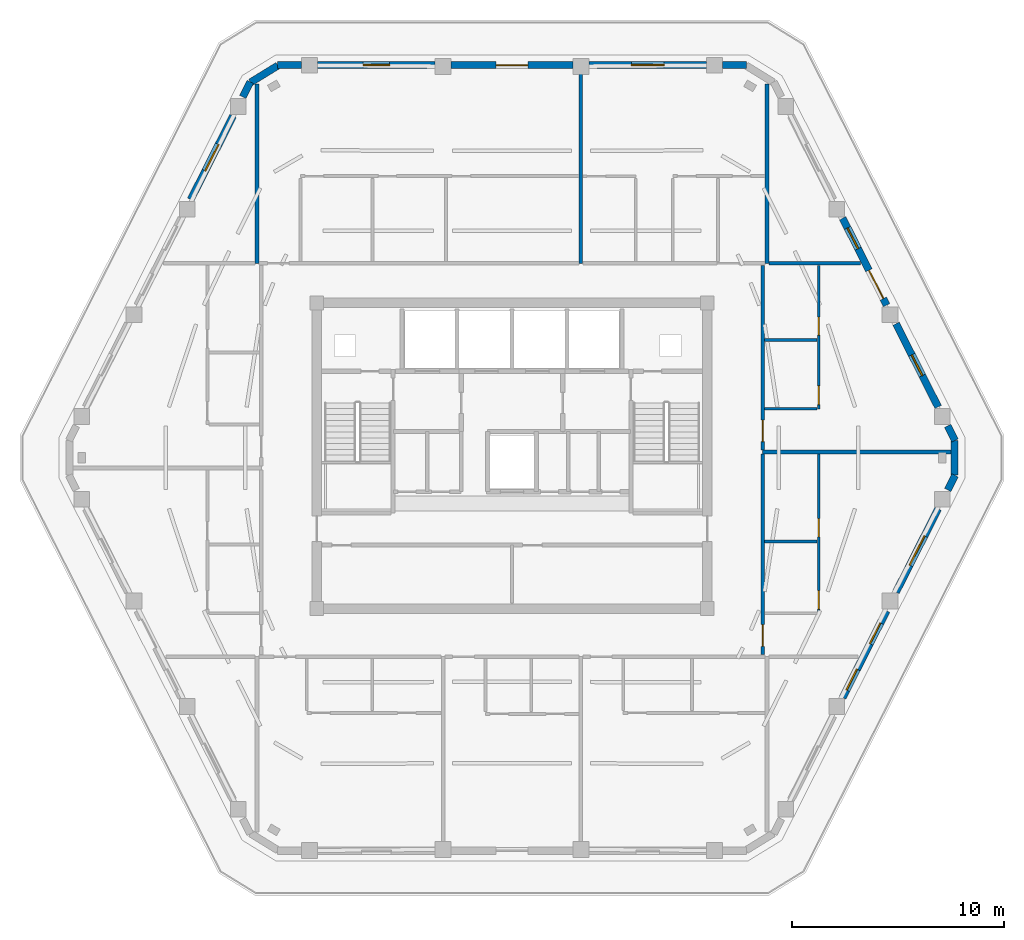
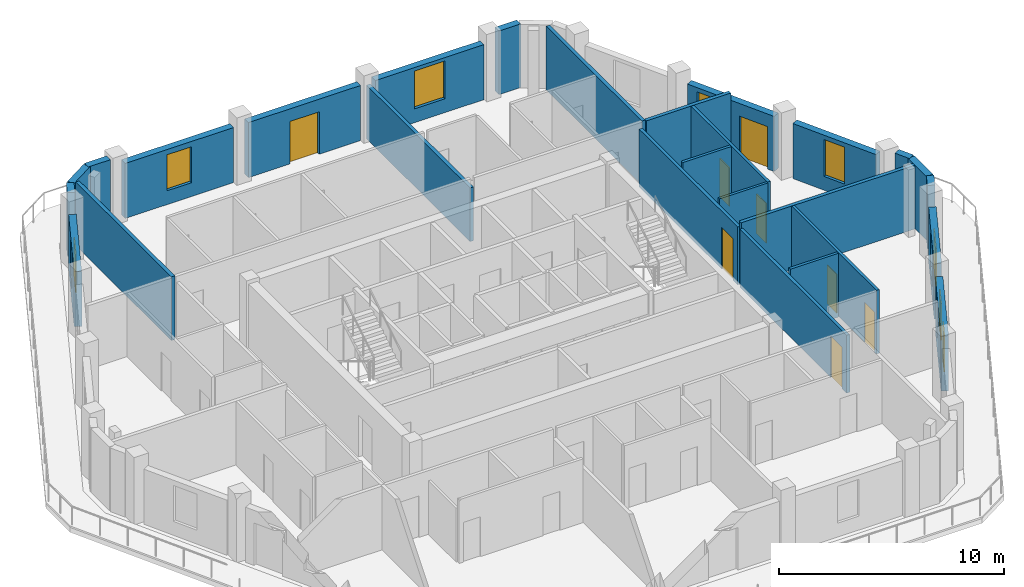
# One storey, part 6 of 10: 27 walls, 8 doors, 8 windows, 16 openings.
"""IFC4 building model written with IfcOpenShell, lengths in metres."""

from ifc_helpers import new_model, si_unit, direction, frame, frame_2d, origin, place, context, subcontext, project, spatial, rectangle, extrude, material, layer, layer_set, type_object, element, fill, save


model = new_model("IFC4")

# Units and contexts
model_context = context("Model", 3, precision=1e-05, world=origin(), true_north=direction((0.0, 1.0)))
body_context = subcontext(model_context, "Body", "Model", "MODEL_VIEW")
ifc_project = project(units=[si_unit("LENGTHUNIT", "METRE"), si_unit("AREAUNIT", "SQUARE_METRE"), si_unit("VOLUMEUNIT", "CUBIC_METRE"), si_unit("PLANEANGLEUNIT", "RADIAN"), si_unit("MASSUNIT", "GRAM", prefix="KILO")], contexts=[model_context])

# Site, building, storey
site_placement = place(None, origin())
site = spatial("IfcSite", under=ifc_project, at=site_placement, CompositionType="ELEMENT")
building_placement = place(site_placement, origin())
building = spatial("IfcBuilding", under=site, at=building_placement, Name="Cinnabar Lancet Tower", CompositionType="ELEMENT")
storey_placement = place(building_placement, frame((0.0, 0.0, 227.0)))
storey = spatial("IfcBuildingStorey", under=building, at=storey_placement, Name="L60", CompositionType="ELEMENT", Elevation=227.0)

# Wall, opening, door
ifc_material_1 = material(Name="Acoustic twin-stud gypsum partition", Category="gypsum")
ifc_layer_1 = layer(ifc_material_1, 0.159912109375)
ifc_layer_set_1 = layer_set([ifc_layer_1], Name="Acoustic twin-stud gypsum partition")
wall_type_1 = type_object("IfcWallType", Name="ARC-WL-CORR-160", PredefinedType="PARTITIONING", material=ifc_layer_set_1)
wall_1_placement = place(storey_placement, frame((44.25, 16.4951171875, 0.0), z_axis=(0.0, 0.0, 1.0), x_axis=(0.0, 1.0, 0.0)))
wall_1 = element("IfcWall", 1, at=wall_1_placement, inside=storey, type_object=wall_type_1, Name="UW-L60-E01-COR", PredefinedType="PARTITIONING", context=body_context, shape_type="SweptSolid", body=[
    extrude(rectangle(XDim=9.48193359375, YDim=0.159912109375, at=frame_2d((4.740966796875, 0.0))), origin(), (0.0, 0.0, 1.0), 3.136962890625),
])
opening_1_placement = place(wall_1_placement, frame((0.39990234375, 0.0, 0.0)))
opening_1 = element("IfcOpeningElement", 2, at=opening_1_placement, cuts=wall_1, Name="Opening UD-01", PredefinedType="OPENING", context=body_context, shape_type="SweptSolid", body=[
    extrude(rectangle(XDim=1.02001953125, YDim=2.25, at=frame_2d((0.510009765625, 1.125))), frame((0.0, 0.08984375, 0.0), z_axis=(0.0, -1.0, 0.0), x_axis=(1.0, 0.0, 0.0)), (0.0, 0.0, 1.0), 0.179931640625),
])
ifc_material_2 = material(Name="Solid timber fire-rated apartment entrance door", Category="wood")
door_type_1 = type_object("IfcDoorType", Name="ARC-DR-UNIT", OperationType="NOTDEFINED", PredefinedType="DOOR", material=ifc_material_2)
door_1_placement = place(opening_1_placement, origin())
door_1 = element("IfcDoor", 3, at=door_1_placement, inside=storey, type_object=door_type_1, Name="DR-L60-E01-ENT", OperationType="SINGLE_SWING_LEFT", OverallHeight=2.25, OverallWidth=1.02001953125, PredefinedType="DOOR", context=body_context, shape_type="SweptSolid", body=[
    extrude(rectangle(XDim=1.02001953125, YDim=2.25, at=frame_2d((0.510009765625, 1.125))), frame((0.0, 0.02490234375, 0.0), z_axis=(0.0, -1.0, 0.0), x_axis=(1.0, 0.0, 0.0)), (0.0, 0.0, 1.0), 0.050048828125),
])
fill(opening_1, door_1)

wall_2_placement = place(storey_placement, frame((44.25, 26.1669921875, 0.0), z_axis=(0.0, 0.0, 1.0), x_axis=(0.0, 1.0, 0.0)))
wall_2 = element("IfcWall", 4, at=wall_2_placement, inside=storey, type_object=wall_type_1, Name="UW-L60-E02-COR", PredefinedType="PARTITIONING", context=body_context, shape_type="SweptSolid", body=[
    extrude(rectangle(XDim=8.738037109375, YDim=0.159912109375, at=frame_2d((4.369140625, 0.0))), origin(), (0.0, 0.0, 1.0), 3.136962890625),
])
opening_2_placement = place(wall_2_placement, frame((0.39990234375, 0.0, 0.0)))
opening_2 = element("IfcOpeningElement", 5, at=opening_2_placement, cuts=wall_2, Name="Opening UD-01", PredefinedType="OPENING", context=body_context, shape_type="SweptSolid", body=[
    extrude(rectangle(XDim=1.02001953125, YDim=2.25, at=frame_2d((0.510009765625, 1.125))), frame((0.0, 0.08984375, 0.0), z_axis=(0.0, -1.0, 0.0), x_axis=(1.0, 0.0, 0.0)), (0.0, 0.0, 1.0), 0.179931640625),
])
door_2_placement = place(opening_2_placement, origin())
door_2 = element("IfcDoor", 6, at=door_2_placement, inside=storey, type_object=door_type_1, Name="DR-L60-E02-ENT", OperationType="SINGLE_SWING_RIGHT", OverallHeight=2.25, OverallWidth=1.02001953125, PredefinedType="DOOR", context=body_context, shape_type="SweptSolid", body=[
    extrude(rectangle(XDim=1.02001953125, YDim=2.25, at=frame_2d((0.510009765625, 1.125))), frame((0.0, 0.02490234375, 0.0), z_axis=(0.0, -1.0, 0.0), x_axis=(1.0, 0.0, 0.0)), (0.0, 0.0, 1.0), 0.050048828125),
])
fill(opening_2, door_2)

# Walls
ifc_material_3 = material(Name="Fire-rated twin-frame acoustic drywall", Category="gypsum")
ifc_layer_2 = layer(ifc_material_3, 0.179931640625)
ifc_layer_set_2 = layer_set([ifc_layer_2], Name="Fire-rated twin-frame acoustic drywall")
wall_type_2 = type_object("IfcWallType", Name="ARC-WL-PARTY-180", PredefinedType="PARTITIONING", material=ifc_layer_set_2)
wall_3_placement = place(storey_placement, frame((20.35009765625, 35.0, 0.0), z_axis=(0.0, 0.0, 1.0), x_axis=(0.0, 1.0, 0.0)))
element("IfcWall", 7, at=wall_3_placement, inside=storey, type_object=wall_type_2, Name="PW-L60-NPTY-204", PredefinedType="PARTITIONING", context=body_context, shape_type="SweptSolid", body=[
    extrude(rectangle(XDim=8.48095703125, YDim=0.179931640625, at=frame_2d((4.240478515625, 0.0))), origin(), (0.0, 0.0, 1.0), 3.449951171875),
])
wall_4_placement = place(storey_placement, frame((35.654052734375, 35.0, 0.0), z_axis=(0.0, 0.0, 1.0), x_axis=(0.0, 1.0, 0.0)))
element("IfcWall", 8, at=wall_4_placement, inside=storey, type_object=wall_type_2, Name="PW-L60-NPTY-357", PredefinedType="PARTITIONING", context=body_context, shape_type="SweptSolid", body=[
    extrude(rectangle(XDim=9.195068359375, YDim=0.179931640625, at=frame_2d((4.59765625, 0.0))), origin(), (0.0, 0.0, 1.0), 2.906982421875),
])
wall_5_placement = place(storey_placement, frame((44.449951171875, 35.0, 0.0), z_axis=(0.0, 0.0, 1.0), x_axis=(0.0, 1.0, 0.0)))
element("IfcWall", 9, at=wall_5_placement, inside=storey, type_object=wall_type_2, Name="PW-L60-NPTY-444", PredefinedType="PARTITIONING", context=body_context, shape_type="SweptSolid", body=[
    extrude(rectangle(XDim=8.48095703125, YDim=0.179931640625, at=frame_2d((4.240478515625, 0.0))), origin(), (0.0, 0.0, 1.0), 3.449951171875),
])
wall_6_placement = place(storey_placement, frame((44.544921875, 35.0, 0.0), z_axis=(0.0, 0.0, 1.0), x_axis=(1.0, 0.0, 0.0)))
element("IfcWall", 10, at=wall_6_placement, inside=storey, type_object=wall_type_2, Name="PW-L60-ENB", PredefinedType="PARTITIONING", context=body_context, shape_type="SweptSolid", body=[
    extrude(rectangle(XDim=4.322021484375, YDim=0.179931640625, at=frame_2d((2.1611328125, 0.0))), origin(), (0.0, 0.0, 1.0), 3.449951171875),
])
wall_7_placement = place(storey_placement, frame((44.25, 26.072021484375, 0.0), z_axis=(0.0, 0.0, 1.0), x_axis=(1.0, 0.0, 0.0)))
element("IfcWall", 11, at=wall_7_placement, inside=storey, type_object=wall_type_2, Name="PW-L60-EPTY-1", PredefinedType="PARTITIONING", context=body_context, shape_type="SweptSolid", body=[
    extrude(rectangle(XDim=8.89794921875, YDim=0.179931640625, at=frame_2d((4.448974609375, 0.0))), origin(), (0.0, 0.0, 1.0), 3.449951171875),
])
ifc_material_4 = material(Name="Gypsum plasterboard stud partition", Category="gypsum")
ifc_layer_3 = layer(ifc_material_4, 0.125)
ifc_layer_set_3 = layer_set([ifc_layer_3], Name="Gypsum plasterboard stud partition")
wall_type_3 = type_object("IfcWallType", Name="ARC-WL-UNIT-125", PredefinedType="PARTITIONING", material=ifc_layer_set_3)
wall_8_placement = place(storey_placement, frame((44.3349609375, 28.1220703125, 0.0), z_axis=(0.0, 0.0, 1.0), x_axis=(1.0, 0.0, 0.0)))
element("IfcWall", 12, at=wall_8_placement, inside=storey, type_object=wall_type_3, Name="UW-L60-E02-FOYN", PredefinedType="PARTITIONING", context=body_context, shape_type="SweptSolid", body=[
    extrude(rectangle(XDim=2.47998046875, YDim=0.125, at=frame_2d((1.239990234375, 0.0))), origin(), (0.0, 0.0, 1.0), 3.449951171875),
])

# Wall, openings, doors
ifc_material_5 = material(Name="Moisture-resistant cement-board plumbing wall", Category="masonry")
ifc_layer_4 = layer(ifc_material_5, 0.139892578125)
ifc_layer_set_4 = layer_set([ifc_layer_4], Name="Moisture-resistant cement-board plumbing wall")
wall_type_4 = type_object("IfcWallType", Name="ARC-WL-WET-140", PredefinedType="PLUMBINGWALL", material=ifc_layer_set_4)
wall_9_placement = place(storey_placement, frame((46.89990234375, 18.449951171875, 0.0), z_axis=(0.0, 0.0, 1.0), x_axis=(0.0, 1.0, 0.0)))
wall_9 = element("IfcWall", 13, at=wall_9_placement, inside=storey, type_object=wall_type_4, Name="UW-L60-E01-SPL", PredefinedType="PLUMBINGWALL", context=body_context, shape_type="SweptSolid", body=[
    extrude(rectangle(XDim=7.527099609375, YDim=0.139892578125, at=frame_2d((3.763671875, 0.0))), origin(), (0.0, 0.0, 1.0), 3.449951171875),
])
opening_3_placement = place(wall_9_placement, frame((3.6201171875, 0.0, 0.0)))
opening_3 = element("IfcOpeningElement", 14, at=opening_3_placement, cuts=wall_9, Name="Opening BD-01", PredefinedType="OPENING", context=body_context, shape_type="SweptSolid", body=[
    extrude(rectangle(XDim=0.860107421875, YDim=2.10009765625, at=frame_2d((0.43017578125, 1.050048828125))), frame((0.0, 0.079833984375, 0.0), z_axis=(0.0, -1.0, 0.0), x_axis=(1.0, 0.0, 0.0)), (0.0, 0.0, 1.0), 0.159912109375),
])
opening_4_placement = place(wall_9_placement, frame((0.199951171875, 0.0, 0.0)))
opening_4 = element("IfcOpeningElement", 15, at=opening_4_placement, cuts=wall_9, Name="Opening RD-02", PredefinedType="OPENING", context=body_context, shape_type="SweptSolid", body=[
    extrude(rectangle(XDim=0.8798828125, YDim=2.14990234375, at=frame_2d((0.43994140625, 1.074951171875))), frame((0.0, 0.079833984375, 0.0), z_axis=(0.0, -1.0, 0.0), x_axis=(1.0, 0.0, 0.0)), (0.0, 0.0, 1.0), 0.159912109375),
])
ifc_material_6 = material(Name="Moisture-resistant timber bathroom door", Category="wood")
door_type_2 = type_object("IfcDoorType", Name="ARC-DR-BATH", OperationType="NOTDEFINED", PredefinedType="DOOR", material=ifc_material_6)
door_3_placement = place(opening_3_placement, origin())
door_3 = element("IfcDoor", 16, at=door_3_placement, inside=storey, type_object=door_type_2, Name="DR-L60-E01-BTH", OperationType="SINGLE_SWING_LEFT", OverallHeight=2.10009765625, OverallWidth=0.860107421875, PredefinedType="DOOR", context=body_context, shape_type="SweptSolid", body=[
    extrude(rectangle(XDim=0.860107421875, YDim=2.10009765625, at=frame_2d((0.43017578125, 1.050048828125))), frame((0.0, 0.02490234375, 0.0), z_axis=(0.0, -1.0, 0.0), x_axis=(1.0, 0.0, 0.0)), (0.0, 0.0, 1.0), 0.050048828125),
])
fill(opening_3, door_3)
ifc_material_7 = material(Name="Engineered timber study door", Category="wood")
door_type_3 = type_object("IfcDoorType", Name="ARC-DR-STUDY", OperationType="NOTDEFINED", PredefinedType="DOOR", material=ifc_material_7)
door_4_placement = place(opening_4_placement, origin())
door_4 = element("IfcDoor", 17, at=door_4_placement, inside=storey, type_object=door_type_3, Name="DR-L60-E01-KIT", OperationType="SINGLE_SWING_RIGHT", OverallHeight=2.14990234375, OverallWidth=0.8798828125, PredefinedType="DOOR", context=body_context, shape_type="SweptSolid", body=[
    extrude(rectangle(XDim=0.8798828125, YDim=2.14990234375, at=frame_2d((0.43994140625, 1.074951171875))), frame((0.0, 0.02490234375, 0.0), z_axis=(0.0, -1.0, 0.0), x_axis=(1.0, 0.0, 0.0)), (0.0, 0.0, 1.0), 0.050048828125),
])
fill(opening_4, door_4)

# Wall
wall_10_placement = place(storey_placement, frame((44.3349609375, 21.85009765625, 0.0), z_axis=(0.0, 0.0, 1.0), x_axis=(1.0, 0.0, 0.0)))
element("IfcWall", 18, at=wall_10_placement, inside=storey, type_object=wall_type_4, Name="UW-L60-E01-KDV", PredefinedType="PLUMBINGWALL", context=body_context, shape_type="SweptSolid", body=[
    extrude(rectangle(XDim=2.47998046875, YDim=0.139892578125, at=frame_2d((1.239990234375, 0.0))), origin(), (0.0, 0.0, 1.0), 3.449951171875),
])

# Wall, openings, doors
wall_11_placement = place(storey_placement, frame((46.89990234375, 28.1220703125, 0.0), z_axis=(0.0, 0.0, 1.0), x_axis=(0.0, 1.0, 0.0)))
wall_11 = element("IfcWall", 19, at=wall_11_placement, inside=storey, type_object=wall_type_4, Name="UW-L60-E02-SPL", PredefinedType="PLUMBINGWALL", context=body_context, shape_type="SweptSolid", body=[
    extrude(rectangle(XDim=6.782958984375, YDim=0.139892578125, at=frame_2d((3.3916015625, 0.0))), origin(), (0.0, 0.0, 1.0), 3.449951171875),
])
opening_5_placement = place(wall_11_placement, frame((3.47607421875, 0.0, 0.0)))
opening_5 = element("IfcOpeningElement", 20, at=opening_5_placement, cuts=wall_11, Name="Opening BD-01", PredefinedType="OPENING", context=body_context, shape_type="SweptSolid", body=[
    extrude(rectangle(XDim=0.860107421875, YDim=2.10009765625, at=frame_2d((0.43017578125, 1.050048828125))), frame((0.0, 0.079833984375, 0.0), z_axis=(0.0, -1.0, 0.0), x_axis=(1.0, 0.0, 0.0)), (0.0, 0.0, 1.0), 0.159912109375),
])
opening_6_placement = place(wall_11_placement, frame((0.199951171875, 0.0, 0.0)))
opening_6 = element("IfcOpeningElement", 21, at=opening_6_placement, cuts=wall_11, Name="Opening RD-02", PredefinedType="OPENING", context=body_context, shape_type="SweptSolid", body=[
    extrude(rectangle(XDim=0.8798828125, YDim=2.14990234375, at=frame_2d((0.43994140625, 1.074951171875))), frame((0.0, 0.079833984375, 0.0), z_axis=(0.0, -1.0, 0.0), x_axis=(1.0, 0.0, 0.0)), (0.0, 0.0, 1.0), 0.159912109375),
])
door_5_placement = place(opening_5_placement, origin())
door_5 = element("IfcDoor", 22, at=door_5_placement, inside=storey, type_object=door_type_2, Name="DR-L60-E02-BTH", OperationType="SINGLE_SWING_RIGHT", OverallHeight=2.10009765625, OverallWidth=0.860107421875, PredefinedType="DOOR", context=body_context, shape_type="SweptSolid", body=[
    extrude(rectangle(XDim=0.860107421875, YDim=2.10009765625, at=frame_2d((0.43017578125, 1.050048828125))), frame((0.0, 0.02490234375, 0.0), z_axis=(0.0, -1.0, 0.0), x_axis=(1.0, 0.0, 0.0)), (0.0, 0.0, 1.0), 0.050048828125),
])
fill(opening_5, door_5)
door_6_placement = place(opening_6_placement, origin())
door_6 = element("IfcDoor", 23, at=door_6_placement, inside=storey, type_object=door_type_3, Name="DR-L60-E02-KIT", OperationType="SINGLE_SWING_LEFT", OverallHeight=2.14990234375, OverallWidth=0.8798828125, PredefinedType="DOOR", context=body_context, shape_type="SweptSolid", body=[
    extrude(rectangle(XDim=0.8798828125, YDim=2.14990234375, at=frame_2d((0.43994140625, 1.074951171875))), frame((0.0, 0.02490234375, 0.0), z_axis=(0.0, -1.0, 0.0), x_axis=(1.0, 0.0, 0.0)), (0.0, 0.0, 1.0), 0.050048828125),
])
fill(opening_6, door_6)

# Walls
wall_12_placement = place(storey_placement, frame((44.3349609375, 31.3779296875, 0.0), z_axis=(0.0, 0.0, 1.0), x_axis=(1.0, 0.0, 0.0)))
element("IfcWall", 24, at=wall_12_placement, inside=storey, type_object=wall_type_4, Name="UW-L60-E02-KDV", PredefinedType="PLUMBINGWALL", context=body_context, shape_type="SweptSolid", body=[
    extrude(rectangle(XDim=2.47998046875, YDim=0.139892578125, at=frame_2d((1.239990234375, 0.0))), origin(), (0.0, 0.0, 1.0), 3.449951171875),
])
ifc_material_8 = material(Name="Cinnabar red clay brick", Category="masonry")
ifc_layer_5 = layer(ifc_material_8, 0.340087890625)
ifc_layer_set_5 = layer_set([ifc_layer_5], Name="Cinnabar red clay brick")
wall_type_5 = type_object("IfcWallType", Name="ENV-WL-BRK-RED-340", PredefinedType="STANDARD", material=ifc_layer_set_5)
wall_13_placement = place(storey_placement, frame((53.322998046875, 24.97998046875, 0.0), z_axis=(0.0, 0.0, 1.0), x_axis=(0.0, 1.0, 0.0)))
element("IfcWall", 25, at=wall_13_placement, inside=storey, type_object=wall_type_5, Name="L60 Chamfered Corner Brick Pier 3.1", PredefinedType="STANDARD", context=body_context, shape_type="SweptSolid", body=[
    extrude(rectangle(XDim=1.64013671875, YDim=0.340087890625, at=frame_2d((0.820068359375, 0.0))), origin(), (0.0, 0.0, 1.0), 3.449951171875),
])
wall_14_placement = place(storey_placement, frame((21.3310546875, 44.344970703125, 0.0), z_axis=(0.0, 0.0, 1.0), x_axis=(-0.851680557619, -0.52406128246, 0.0)))
element("IfcWall", 26, at=wall_14_placement, inside=storey, type_object=wall_type_5, Name="L60 Chamfered Corner Brick Pier 5.1", PredefinedType="STANDARD", context=body_context, shape_type="SweptSolid", body=[
    extrude(rectangle(XDim=1.507568359375, YDim=0.340087890625, at=frame_2d((0.75390625, 0.0))), origin(), (0.0, 0.0, 1.0), 3.449951171875),
])

# Wall, openings, windows
wall_15_placement = place(storey_placement, frame((48.031982421875, 14.472900390625, 0.0), z_axis=(0.0, 0.0, 1.0), x_axis=(0.451539564999, 0.892251097641, 0.0)))
wall_15 = element("IfcWall", 27, at=wall_15_placement, inside=storey, type_object=wall_type_5, Name="L60 Face 2 Masonry Bay Wall 3", PredefinedType="STANDARD", context=body_context, shape_type="SweptSolid", body=[
    extrude(rectangle(XDim=4.599609375, YDim=0.340087890625, at=frame_2d((2.2998046875, 0.0))), origin(), (0.0, 0.0, 1.0), 2.98291015625),
])
opening_7_placement = place(wall_15_placement, frame((0.39990234375, 0.0, 0.75)))
opening_7 = element("IfcOpeningElement", 28, at=opening_7_placement, cuts=wall_15, Name="Opening WN-04", PredefinedType="OPENING", context=body_context, shape_type="SweptSolid", body=[
    extrude(rectangle(XDim=1.10009765625, YDim=2.0, at=frame_2d((0.550048828125, 1.0))), frame((0.0, 0.179931640625, 0.0), z_axis=(0.0, -1.0, 0.0), x_axis=(1.0, 0.0, 0.0)), (0.0, 0.0, 1.0), 0.360107421875),
])
opening_8_placement = place(wall_15_placement, frame((2.85107421875, 0.0, 0.75)))
opening_8 = element("IfcOpeningElement", 29, at=opening_8_placement, cuts=wall_15, Name="Opening WN-04", PredefinedType="OPENING", context=body_context, shape_type="SweptSolid", body=[
    extrude(rectangle(XDim=1.10009765625, YDim=2.0, at=frame_2d((0.550048828125, 1.0))), frame((0.0, 0.179931640625, 0.0), z_axis=(0.0, -1.0, 0.0), x_axis=(1.0, 0.0, 0.0)), (0.0, 0.0, 1.0), 0.360107421875),
])
ifc_material_9 = material(Name="Thermally broken bronze-anodized aluminium tall lancet window", Category="aluminium")
window_type_1 = type_object("IfcWindowType", Name="ENV-WN-LANCET-1100", PartitioningType="SINGLE_PANEL", PredefinedType="WINDOW", material=ifc_material_9)
window_1_placement = place(opening_7_placement, origin())
window_1 = element("IfcWindow", 30, at=window_1_placement, inside=storey, type_object=window_type_1, Name="L60 Face 2 Gothic Lancet Window 3", OverallHeight=2.0, OverallWidth=1.10009765625, PartitioningType="SINGLE_PANEL", PredefinedType="WINDOW", context=body_context, shape_type="SweptSolid", body=[
    extrude(rectangle(XDim=1.10009765625, YDim=2.0, at=frame_2d((0.550048828125, 1.0))), frame((0.0, 0.030029296875, 0.0), z_axis=(0.0, -1.0, 0.0), x_axis=(1.0, 0.0, 0.0)), (0.0, 0.0, 1.0), 0.06005859375),
])
fill(opening_7, window_1)
window_2_placement = place(opening_8_placement, origin())
window_2 = element("IfcWindow", 31, at=window_2_placement, inside=storey, type_object=window_type_1, Name="L60 Split-Bay Gothic Lancet Window 207", OverallHeight=2.0, OverallWidth=1.10009765625, PartitioningType="SINGLE_PANEL", PredefinedType="WINDOW", context=body_context, shape_type="SweptSolid", body=[
    extrude(rectangle(XDim=1.10009765625, YDim=2.0, at=frame_2d((0.550048828125, 1.0))), frame((0.0, 0.030029296875, 0.0), z_axis=(0.0, -1.0, 0.0), x_axis=(1.0, 0.0, 0.0)), (0.0, 0.0, 1.0), 0.06005859375),
])
fill(opening_8, window_2)

# Wall, opening, window
wall_16_placement = place(storey_placement, frame((50.553955078125, 19.4560546875, 0.0), z_axis=(0.0, 0.0, 1.0), x_axis=(0.45130817501, 0.892368158984, 0.0)))
wall_16 = element("IfcWall", 32, at=wall_16_placement, inside=storey, type_object=wall_type_5, Name="L60 Face 2 Masonry Bay Wall 4", PredefinedType="STANDARD", context=body_context, shape_type="SweptSolid", body=[
    extrude(rectangle(XDim=4.4072265625, YDim=0.340087890625, at=frame_2d((2.20361328125, 0.0))), origin(), (0.0, 0.0, 1.0), 2.98291015625),
])
opening_9_placement = place(wall_16_placement, frame((1.428955078125, 0.0, 0.75)))
opening_9 = element("IfcOpeningElement", 33, at=opening_9_placement, cuts=wall_16, Name="Opening WN-01", PredefinedType="OPENING", context=body_context, shape_type="SweptSolid", body=[
    extrude(rectangle(XDim=1.550048828125, YDim=2.050048828125, at=frame_2d((0.77490234375, 1.02490234375))), frame((0.0, 0.179931640625, 0.0), z_axis=(0.0, -1.0, 0.0), x_axis=(1.0, 0.0, 0.0)), (0.0, 0.0, 1.0), 0.360107421875),
])
ifc_material_10 = material(Name="Thermally broken bronze-anodized aluminium low-E double glazing", Category="aluminium")
window_type_2 = type_object("IfcWindowType", Name="ENV-WN-LANCET-1550", PartitioningType="SINGLE_PANEL", PredefinedType="WINDOW", material=ifc_material_10)
window_3_placement = place(opening_9_placement, origin())
window_3 = element("IfcWindow", 34, at=window_3_placement, inside=storey, type_object=window_type_2, Name="L60 Face 2 Gothic Lancet Window 4", OverallHeight=2.050048828125, OverallWidth=1.550048828125, PartitioningType="SINGLE_PANEL", PredefinedType="WINDOW", context=body_context, shape_type="SweptSolid", body=[
    extrude(rectangle(XDim=1.550048828125, YDim=2.050048828125, at=frame_2d((0.77490234375, 1.02490234375))), frame((0.0, 0.030029296875, 0.0), z_axis=(0.0, -1.0, 0.0), x_axis=(1.0, 0.0, 0.0)), (0.0, 0.0, 1.0), 0.06005859375),
])
fill(opening_9, window_3)

# Walls
for number, where, z_axis, x_axis, name in (
    (35, (52.99609375, 24.283935546875, 0.0), (0.0, 0.0, 1.0), (0.45075284655, 0.892648795063, 0.0), "L60 Face 2 Masonry Bay Wall 5"),
    (36, (53.343994140625, 26.626953125, 0.0), (0.0, 0.0, 1.0), (-0.45075284655, 0.892648795063, 0.0), "L60 Face 3 Masonry Bay Wall 1"),
):
    element("IfcWall", number, at=place(storey_placement, frame(where, z_axis=z_axis, x_axis=x_axis)), inside=storey, type_object=wall_type_5, Name=name, PredefinedType="STANDARD", context=body_context, shape_type="SweptSolid", body=[
        extrude(rectangle(XDim=0.771728515625, YDim=0.340087890625, at=frame_2d((0.3857421875, 0.0))), origin(), (0.0, 0.0, 1.0), 3.449951171875),
    ])

# Wall, opening, window
wall_17_placement = place(storey_placement, frame((52.54296875, 28.2109375, 0.0), z_axis=(0.0, 0.0, 1.0), x_axis=(-0.451285866323, 0.892379441077, 0.0)))
wall_17 = element("IfcWall", 37, at=wall_17_placement, inside=storey, type_object=wall_type_5, Name="L60 Face 3 Masonry Bay Wall 2", PredefinedType="STANDARD", context=body_context, shape_type="SweptSolid", body=[
    extrude(rectangle(XDim=4.407470703125, YDim=0.340087890625, at=frame_2d((2.20361328125, 0.0))), origin(), (0.0, 0.0, 1.0), 2.98291015625),
])
opening_10_placement = place(wall_17_placement, frame((1.654052734375, 0.0, 0.75)))
opening_10 = element("IfcOpeningElement", 38, at=opening_10_placement, cuts=wall_17, Name="Opening WN-04", PredefinedType="OPENING", context=body_context, shape_type="SweptSolid", body=[
    extrude(rectangle(XDim=1.10009765625, YDim=2.0, at=frame_2d((0.550048828125, 1.0))), frame((0.0, 0.179931640625, 0.0), z_axis=(0.0, -1.0, 0.0), x_axis=(1.0, 0.0, 0.0)), (0.0, 0.0, 1.0), 0.360107421875),
])
window_4_placement = place(opening_10_placement, origin())
window_4 = element("IfcWindow", 39, at=window_4_placement, inside=storey, type_object=window_type_1, Name="L60 Face 3 Gothic Lancet Window 2", OverallHeight=2.0, OverallWidth=1.10009765625, PartitioningType="SINGLE_PANEL", PredefinedType="WINDOW", context=body_context, shape_type="SweptSolid", body=[
    extrude(rectangle(XDim=1.10009765625, YDim=2.0, at=frame_2d((0.550048828125, 1.0))), frame((0.0, 0.030029296875, 0.0), z_axis=(0.0, -1.0, 0.0), x_axis=(1.0, 0.0, 0.0)), (0.0, 0.0, 1.0), 0.06005859375),
])
fill(opening_10, window_4)

# Wall, openings, door, window
wall_18_placement = place(storey_placement, frame((50.10888671875, 33.02294921875, 0.0), z_axis=(0.0, 0.0, 1.0), x_axis=(-0.451539564999, 0.892251097641, 0.0)))
wall_18 = element("IfcWall", 40, at=wall_18_placement, inside=storey, type_object=wall_type_5, Name="L60 Face 3 Masonry Bay Wall 3", PredefinedType="STANDARD", context=body_context, shape_type="SweptSolid", body=[
    extrude(rectangle(XDim=4.599609375, YDim=0.340087890625, at=frame_2d((2.2998046875, 0.0))), origin(), (0.0, 0.0, 1.0), 2.98291015625),
])
opening_11_placement = place(wall_18_placement, frame((0.342041015625, 0.0, 0.0)))
opening_11 = element("IfcOpeningElement", 41, at=opening_11_placement, cuts=wall_18, Name="Opening TD-02", PredefinedType="OPENING", context=body_context, shape_type="SweptSolid", body=[
    extrude(rectangle(XDim=1.5, YDim=2.300048828125, at=frame_2d((0.75, 1.14990234375))), frame((0.0, 0.179931640625, 0.0), z_axis=(0.0, -1.0, 0.0), x_axis=(1.0, 0.0, 0.0)), (0.0, 0.0, 1.0), 0.360107421875),
])
opening_12_placement = place(wall_18_placement, frame((2.988037109375, 0.0, 0.75)))
opening_12 = element("IfcOpeningElement", 42, at=opening_12_placement, cuts=wall_18, Name="Opening WN-04", PredefinedType="OPENING", context=body_context, shape_type="SweptSolid", body=[
    extrude(rectangle(XDim=1.10009765625, YDim=2.0, at=frame_2d((0.550048828125, 1.0))), frame((0.0, 0.179931640625, 0.0), z_axis=(0.0, -1.0, 0.0), x_axis=(1.0, 0.0, 0.0)), (0.0, 0.0, 1.0), 0.360107421875),
])
ifc_material_11 = material(Name="Thermally broken low-E glazed sky-terrace double door", Category="wood")
door_type_4 = type_object("IfcDoorType", Name="ARC-DR-STER", OperationType="NOTDEFINED", PredefinedType="DOOR", material=ifc_material_11)
door_7_placement = place(opening_11_placement, origin())
door_7 = element("IfcDoor", 43, at=door_7_placement, inside=storey, type_object=door_type_4, Name="L60 Face 3 Glazed Terrace Door", OperationType="SINGLE_SWING_LEFT", OverallHeight=2.300048828125, OverallWidth=1.5, PredefinedType="DOOR", context=body_context, shape_type="SweptSolid", body=[
    extrude(rectangle(XDim=1.5, YDim=2.300048828125, at=frame_2d((0.75, 1.14990234375))), frame((0.0, 0.02490234375, 0.0), z_axis=(0.0, -1.0, 0.0), x_axis=(1.0, 0.0, 0.0)), (0.0, 0.0, 1.0), 0.050048828125),
])
fill(opening_11, door_7)
window_5_placement = place(opening_12_placement, origin())
window_5 = element("IfcWindow", 44, at=window_5_placement, inside=storey, type_object=window_type_1, Name="L60 Split-Bay Gothic Lancet Window 208", OverallHeight=2.0, OverallWidth=1.10009765625, PartitioningType="SINGLE_PANEL", PredefinedType="WINDOW", context=body_context, shape_type="SweptSolid", body=[
    extrude(rectangle(XDim=1.10009765625, YDim=2.0, at=frame_2d((0.550048828125, 1.0))), frame((0.0, 0.030029296875, 0.0), z_axis=(0.0, -1.0, 0.0), x_axis=(1.0, 0.0, 0.0)), (0.0, 0.0, 1.0), 0.06005859375),
])
fill(opening_12, window_5)

# Wall
wall_19_placement = place(storey_placement, frame((43.47412109375, 44.3701171875, 0.0), z_axis=(0.0, 0.0, 1.0), x_axis=(-1.0, 0.0, 0.0)))
element("IfcWall", 45, at=wall_19_placement, inside=storey, type_object=wall_type_5, Name="L60 Face 4 Masonry Bay Wall 1", PredefinedType="STANDARD", context=body_context, shape_type="SweptSolid", body=[
    extrude(rectangle(XDim=1.123046875, YDim=0.340087890625, at=frame_2d((0.5615234375, 0.0))), origin(), (0.0, 0.0, 1.0), 3.449951171875),
])

# Wall, opening, window
wall_20_placement = place(storey_placement, frame((41.593017578125, 44.3701171875, 0.0), z_axis=(0.0, 0.0, 1.0), x_axis=(-1.0, 0.0, 0.0)))
wall_20 = element("IfcWall", 46, at=wall_20_placement, inside=storey, type_object=wall_type_5, Name="L60 Face 4 Masonry Bay Wall 2", PredefinedType="STANDARD", context=body_context, shape_type="SweptSolid", body=[
    extrude(rectangle(XDim=5.56005859375, YDim=0.340087890625, at=frame_2d((2.780029296875, 0.0))), origin(), (0.0, 0.0, 1.0), 2.98291015625),
])
opening_13_placement = place(wall_20_placement, frame((2.0048828125, 0.0, 0.75)))
opening_13 = element("IfcOpeningElement", 47, at=opening_13_placement, cuts=wall_20, Name="Opening WN-01", PredefinedType="OPENING", context=body_context, shape_type="SweptSolid", body=[
    extrude(rectangle(XDim=1.550048828125, YDim=2.050048828125, at=frame_2d((0.77490234375, 1.02490234375))), frame((0.0, 0.179931640625, 0.0), z_axis=(0.0, -1.0, 0.0), x_axis=(1.0, 0.0, 0.0)), (0.0, 0.0, 1.0), 0.360107421875),
])
window_6_placement = place(opening_13_placement, origin())
window_6 = element("IfcWindow", 48, at=window_6_placement, inside=storey, type_object=window_type_2, Name="L60 Face 4 Gothic Lancet Window 2", OverallHeight=2.050048828125, OverallWidth=1.550048828125, PartitioningType="SINGLE_PANEL", PredefinedType="WINDOW", context=body_context, shape_type="SweptSolid", body=[
    extrude(rectangle(XDim=1.550048828125, YDim=2.050048828125, at=frame_2d((0.77490234375, 1.02490234375))), frame((0.0, 0.030029296875, 0.0), z_axis=(0.0, -1.0, 0.0), x_axis=(1.0, 0.0, 0.0)), (0.0, 0.0, 1.0), 0.06005859375),
])
fill(opening_13, window_6)

# Wall, opening, door
wall_21_placement = place(storey_placement, frame((35.27490234375, 44.3701171875, 0.0), z_axis=(0.0, 0.0, 1.0), x_axis=(-1.0, 0.0, 0.0)))
wall_21 = element("IfcWall", 49, at=wall_21_placement, inside=storey, type_object=wall_type_5, Name="L60 Face 4 Masonry Bay Wall 3", PredefinedType="STANDARD", context=body_context, shape_type="SweptSolid", body=[
    extrude(rectangle(XDim=5.75, YDim=0.340087890625, at=frame_2d((2.875, 0.0))), origin(), (0.0, 0.0, 1.0), 2.98291015625),
])
opening_14_placement = place(wall_21_placement, frame((2.125, 0.0, 0.0)))
opening_14 = element("IfcOpeningElement", 50, at=opening_14_placement, cuts=wall_21, Name="Opening TD-02", PredefinedType="OPENING", context=body_context, shape_type="SweptSolid", body=[
    extrude(rectangle(XDim=1.5, YDim=2.300048828125, at=frame_2d((0.75, 1.14990234375))), frame((0.0, 0.179931640625, 0.0), z_axis=(0.0, -1.0, 0.0), x_axis=(1.0, 0.0, 0.0)), (0.0, 0.0, 1.0), 0.360107421875),
])
door_8_placement = place(opening_14_placement, origin())
door_8 = element("IfcDoor", 51, at=door_8_placement, inside=storey, type_object=door_type_4, Name="L60 Face 4 Glazed Terrace Door", OperationType="SINGLE_SWING_RIGHT", OverallHeight=2.300048828125, OverallWidth=1.5, PredefinedType="DOOR", context=body_context, shape_type="SweptSolid", body=[
    extrude(rectangle(XDim=1.5, YDim=2.300048828125, at=frame_2d((0.75, 1.14990234375))), frame((0.0, 0.02490234375, 0.0), z_axis=(0.0, -1.0, 0.0), x_axis=(1.0, 0.0, 0.0)), (0.0, 0.0, 1.0), 0.050048828125),
])
fill(opening_14, door_8)

# Wall, opening, window
wall_22_placement = place(storey_placement, frame((28.76708984375, 44.3701171875, 0.0), z_axis=(0.0, 0.0, 1.0), x_axis=(-1.0, 0.0, 0.0)))
wall_22 = element("IfcWall", 52, at=wall_22_placement, inside=storey, type_object=wall_type_5, Name="L60 Face 4 Masonry Bay Wall 4", PredefinedType="STANDARD", context=body_context, shape_type="SweptSolid", body=[
    extrude(rectangle(XDim=5.56005859375, YDim=0.340087890625, at=frame_2d((2.780029296875, 0.0))), origin(), (0.0, 0.0, 1.0), 2.98291015625),
])
opening_15_placement = place(wall_22_placement, frame((2.155029296875, 0.0, 0.75)))
opening_15 = element("IfcOpeningElement", 53, at=opening_15_placement, cuts=wall_22, Name="Opening WN-03", PredefinedType="OPENING", context=body_context, shape_type="SweptSolid", body=[
    extrude(rectangle(XDim=1.25, YDim=1.949951171875, at=frame_2d((0.625, 0.97509765625))), frame((0.0, 0.179931640625, 0.0), z_axis=(0.0, -1.0, 0.0), x_axis=(1.0, 0.0, 0.0)), (0.0, 0.0, 1.0), 0.360107421875),
])
ifc_material_12 = material(Name="Thermally broken bronze-anodized aluminium low-E double glazing", Category="aluminium")
window_type_3 = type_object("IfcWindowType", Name="ENV-WN-LANCET-1250", PartitioningType="SINGLE_PANEL", PredefinedType="WINDOW", material=ifc_material_12)
window_7_placement = place(opening_15_placement, origin())
window_7 = element("IfcWindow", 54, at=window_7_placement, inside=storey, type_object=window_type_3, Name="L60 Face 4 Gothic Lancet Window 4", OverallHeight=1.949951171875, OverallWidth=1.25, PartitioningType="SINGLE_PANEL", PredefinedType="WINDOW", context=body_context, shape_type="SweptSolid", body=[
    extrude(rectangle(XDim=1.25, YDim=1.949951171875, at=frame_2d((0.625, 0.97509765625))), frame((0.0, 0.030029296875, 0.0), z_axis=(0.0, -1.0, 0.0), x_axis=(1.0, 0.0, 0.0)), (0.0, 0.0, 1.0), 0.06005859375),
])
fill(opening_15, window_7)

# Walls
wall_23_placement = place(storey_placement, frame((22.448974609375, 44.3701171875, 0.0), z_axis=(0.0, 0.0, 1.0), x_axis=(-1.0, 0.0, 0.0)))
element("IfcWall", 55, at=wall_23_placement, inside=storey, type_object=wall_type_5, Name="L60 Face 4 Masonry Bay Wall 5", PredefinedType="STANDARD", context=body_context, shape_type="SweptSolid", body=[
    extrude(rectangle(XDim=1.123046875, YDim=0.340087890625, at=frame_2d((0.5615234375, 0.0))), origin(), (0.0, 0.0, 1.0), 3.449951171875),
])
wall_24_placement = place(storey_placement, frame((20.027099609375, 43.571044921875, 0.0), z_axis=(0.0, 0.0, 1.0), x_axis=(-0.451404919072, -0.89231922485, 0.0)))
element("IfcWall", 56, at=wall_24_placement, inside=storey, type_object=wall_type_5, Name="L60 Face 5 Masonry Bay Wall 1", PredefinedType="STANDARD", context=body_context, shape_type="SweptSolid", body=[
    extrude(rectangle(XDim=0.791259765625, YDim=0.340087890625, at=frame_2d((0.3955078125, 0.0))), origin(), (0.0, 0.0, 1.0), 3.449951171875),
])

# Wall, opening, window
wall_25_placement = place(storey_placement, frame((19.214111328125, 41.962890625, 0.0), z_axis=(0.0, 0.0, 1.0), x_axis=(-0.451463046281, -0.89228981718, 0.0)))
wall_25 = element("IfcWall", 57, at=wall_25_placement, inside=storey, type_object=wall_type_5, Name="L60 Face 5 Masonry Bay Wall 2", PredefinedType="STANDARD", context=body_context, shape_type="SweptSolid", body=[
    extrude(rectangle(XDim=4.429931640625, YDim=0.340087890625, at=frame_2d((2.21484375, 0.0))), origin(), (0.0, 0.0, 1.0), 2.98291015625),
])
opening_16_placement = place(wall_25_placement, frame((1.514892578125, 0.0, 0.75)))
opening_16 = element("IfcOpeningElement", 58, at=opening_16_placement, cuts=wall_25, Name="Opening WN-02", PredefinedType="OPENING", context=body_context, shape_type="SweptSolid", body=[
    extrude(rectangle(XDim=1.39990234375, YDim=2.050048828125, at=frame_2d((0.699951171875, 1.02490234375))), frame((0.0, 0.179931640625, 0.0), z_axis=(0.0, -1.0, 0.0), x_axis=(1.0, 0.0, 0.0)), (0.0, 0.0, 1.0), 0.360107421875),
])
ifc_material_13 = material(Name="Thermally broken bronze-anodized aluminium low-E double glazing", Category="aluminium")
window_type_4 = type_object("IfcWindowType", Name="ENV-WN-LANCET-1400", PartitioningType="SINGLE_PANEL", PredefinedType="WINDOW", material=ifc_material_13)
window_8_placement = place(opening_16_placement, origin())
window_8 = element("IfcWindow", 59, at=window_8_placement, inside=storey, type_object=window_type_4, Name="L60 Face 5 Gothic Lancet Window 2", OverallHeight=2.050048828125, OverallWidth=1.39990234375, PartitioningType="SINGLE_PANEL", PredefinedType="WINDOW", context=body_context, shape_type="SweptSolid", body=[
    extrude(rectangle(XDim=1.39990234375, YDim=2.050048828125, at=frame_2d((0.699951171875, 1.02490234375))), frame((0.0, 0.030029296875, 0.0), z_axis=(0.0, -1.0, 0.0), x_axis=(1.0, 0.0, 0.0)), (0.0, 0.0, 1.0), 0.06005859375),
])
fill(opening_16, window_8)

save(model, "model.ifc")
